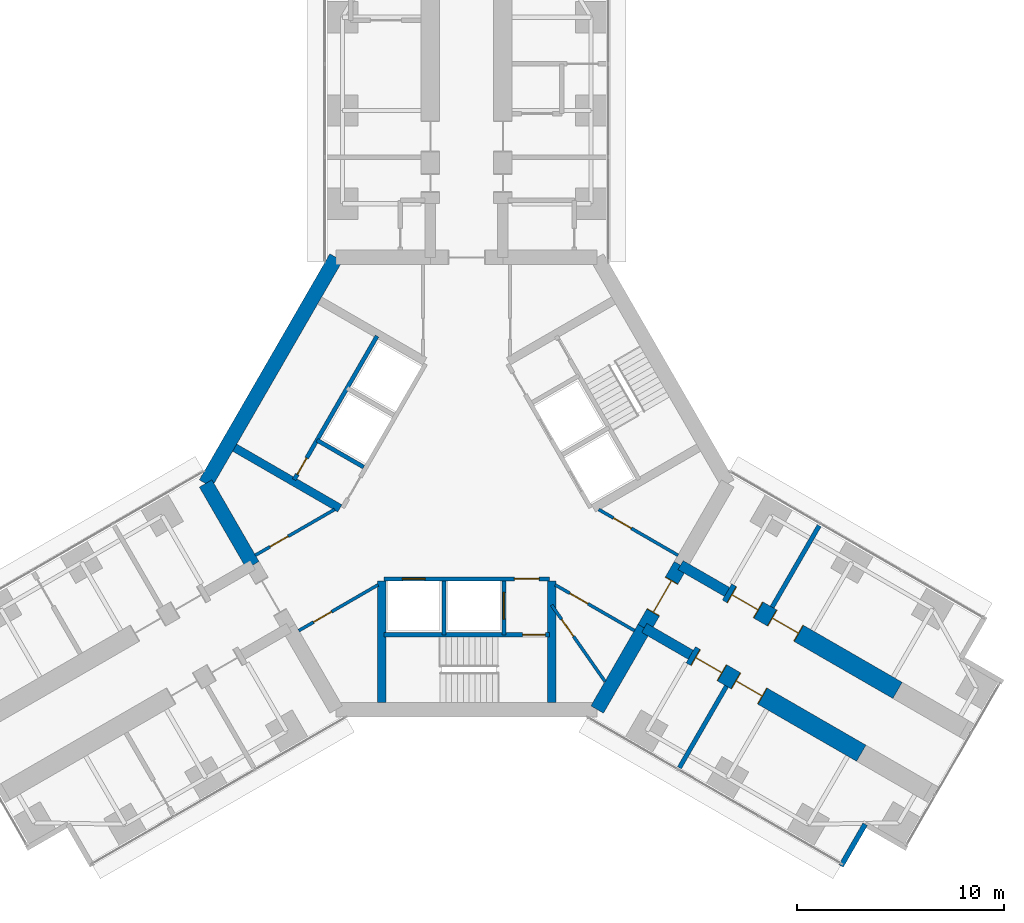
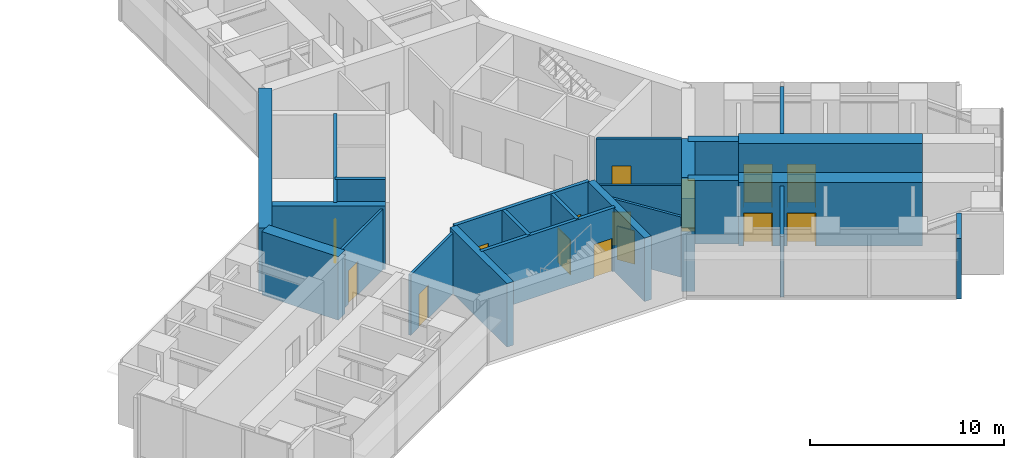
# One storey, part 19 of 22: 25 walls, 15 doors, 15 openings.
"""IFC4 building model written with IfcOpenShell, lengths in metres."""

from ifc_helpers import new_model, si_unit, direction, frame, frame_2d, origin, place, context, subcontext, project, spatial, rectangle, extrude, material, layer, layer_set, type_object, element, fill, save


model = new_model("IFC4")

# Units and contexts
model_context = context("Model", 3, precision=1e-05, world=origin(), true_north=direction((0.0, 1.0)))
body_context = subcontext(model_context, "Body", "Model", "MODEL_VIEW")
ifc_project = project(units=[si_unit("LENGTHUNIT", "METRE"), si_unit("AREAUNIT", "SQUARE_METRE"), si_unit("VOLUMEUNIT", "CUBIC_METRE"), si_unit("PLANEANGLEUNIT", "RADIAN"), si_unit("MASSUNIT", "GRAM", prefix="KILO")], contexts=[model_context])

# Site, building, storey
site_placement = place(None, origin())
site = spatial("IfcSite", under=ifc_project, at=site_placement, CompositionType="ELEMENT")
building_placement = place(site_placement, origin())
building = spatial("IfcBuilding", under=site, at=building_placement, Name="Upepo Twin Towers", CompositionType="ELEMENT")
storey_placement = place(building_placement, frame((0.0, 0.0, 44.5)))
storey = spatial("IfcBuildingStorey", under=building, at=storey_placement, Name="L10", CompositionType="ELEMENT", Elevation=44.5)

# Walls
ifc_material_1 = material(Name="Concrete blockwork, plastered both faces", Category="masonry")
ifc_layer_1 = layer(ifc_material_1, 0.215087890625)
ifc_layer_set_1 = layer_set([ifc_layer_1], Name="Blockwork partition 215")
wall_type_1 = type_object("IfcWallType", Name="Blockwork partition 215", PredefinedType="PARTITIONING", material=ifc_layer_set_1)
for number, where, z_axis, x_axis, name in (
    (1, (73.239990234375, -23.9697265625, 0.0), (0.0, 0.0, 1.0), (0.499982560684, 0.866035472144, 0.0), "T2 partition CL at 15.75"),
    (2, (71.039794921875, -27.7802734375, 0.0), (0.0, 0.0, 1.0), (-0.499982560684, -0.866035472144, 0.0), "T2 partition CR at 15.75"),
):
    element("IfcWall", number, at=place(storey_placement, frame(where, z_axis=z_axis, x_axis=x_axis)), inside=storey, type_object=wall_type_1, Name=name, PredefinedType="PARTITIONING", context=body_context, shape_type="SweptSolid", body=[
        extrude(rectangle(XDim=4.550048828125, YDim=0.215087890625, at=frame_2d((2.27490234375, 0.0))), origin(), (0.0, 0.0, 1.0), 3.800048828125),
    ])
ifc_material_2 = material(Name="Concrete C60/75", Category="concrete")
ifc_layer_2 = layer(ifc_material_2, 0.5)
ifc_layer_set_2 = layer_set([ifc_layer_2], Name="Concrete C60/75")
wall_type_2 = type_object("IfcWallType", Name="Buttress wall 500 RC", PredefinedType="SHEAR", material=ifc_layer_set_2)
for number, where, z_axis, x_axis, name in (
    (3, (68.82177734375, -21.938720703125, 0.0), (0.0, 0.0, 1.0), (0.866072649678, -0.499918158782, 0.0), "T2 wing C buttress wall L"),
    (4, (67.07177734375, -24.9697265625, 0.0), (0.0, 0.0, 1.0), (0.866031863473, -0.499988811324, 0.0), "T2 wing C buttress wall R"),
):
    element("IfcWall", number, at=place(storey_placement, frame(where, z_axis=z_axis, x_axis=x_axis)), inside=storey, type_object=wall_type_2, Name=name, PredefinedType="SHEAR", context=body_context, shape_type="SweptSolid", body=[
        extrude(rectangle(XDim=2.591796875, YDim=0.5, at=frame_2d((1.2958984375, 0.0))), origin(), (0.0, 0.0, 1.0), 4.0),
    ])

# Wall, openings, doors
ifc_material_3 = material(Name="Concrete C60/75", Category="concrete")
ifc_layer_3 = layer(ifc_material_3, 0.89990234375)
ifc_layer_set_3 = layer_set([ifc_layer_3], Name="Concrete C60/75")
wall_type_3 = type_object("IfcWallType", Name="Buttress wall 900 RC", PredefinedType="SHEAR", material=ifc_layer_set_3)
wall_1_placement = place(storey_placement, frame((71.06640625, -23.234375, 0.0), z_axis=(0.0, 0.0, 1.0), x_axis=(0.86602681393, -0.499997557548, 0.0)))
wall_1 = element("IfcWall", 5, at=wall_1_placement, inside=storey, type_object=wall_type_3, Name="T2 wing C buttress wall L part 2", PredefinedType="SHEAR", context=body_context, shape_type="SweptSolid", body=[
    extrude(rectangle(XDim=9.5, YDim=0.89990234375, at=frame_2d((4.75, 0.0))), origin(), (0.0, 0.0, 1.0), 4.0),
])
opening_1_placement = place(wall_1_placement, frame((0.25, 0.0, 0.0)))
opening_1 = element("IfcOpeningElement", 6, at=opening_1_placement, cuts=wall_1, Name="Opening D13", PredefinedType="OPENING", context=body_context, shape_type="SweptSolid", body=[
    extrude(rectangle(XDim=1.5, YDim=2.10009765625, at=frame_2d((0.75, 1.050048828125))), frame((0.0, 0.4599609375, 0.0), z_axis=(0.0, -1.0, 0.0), x_axis=(1.0, 0.0, 0.0)), (0.0, 0.0, 1.0), 0.919921875),
])
opening_2_placement = place(wall_1_placement, frame((2.5, 0.0, 0.0)))
opening_2 = element("IfcOpeningElement", 7, at=opening_2_placement, cuts=wall_1, Name="Opening D13", PredefinedType="OPENING", context=body_context, shape_type="SweptSolid", body=[
    extrude(rectangle(XDim=1.5, YDim=2.10009765625, at=frame_2d((0.75, 1.050048828125))), frame((0.0, 0.4599609375, 0.0), z_axis=(0.0, -1.0, 0.0), x_axis=(1.0, 0.0, 0.0)), (0.0, 0.0, 1.0), 0.919921875),
])
ifc_material_4 = material(Name="Timber doorset", Category="wood")
door_type_1 = type_object("IfcDoorType", Name="Double door 1500 FD30", OperationType="DOUBLE_DOOR_SINGLE_SWING", PredefinedType="DOOR", material=ifc_material_4)
door_1_placement = place(opening_1_placement, origin())
door_1 = element("IfcDoor", 8, at=door_1_placement, inside=storey, type_object=door_type_1, Name="T2 L10 tutorial room door", OperationType="DOUBLE_DOOR_SINGLE_SWING", OverallHeight=2.10009765625, OverallWidth=1.5, PredefinedType="DOOR", context=body_context, shape_type="SweptSolid", body=[
    extrude(rectangle(XDim=1.42, YDim=2.06009765625, at=frame_2d((0.75, 1.030029296875))), frame((0.0, 0.02490234375, 0.0), z_axis=(0.0, -1.0, 0.0), x_axis=(1.0, 0.0, 0.0)), (0.0, 0.0, 1.0), 0.050048828125),
    extrude(rectangle(XDim=0.04, YDim=2.10009765625, at=frame_2d((0.02001953125, 1.050048828125))), frame((0.0, 0.44970703125, 0.0), z_axis=(0.0, -1.0, 0.0), x_axis=(1.0, 0.0, 0.0)), (0.0, 0.0, 1.0), 0.8994140625),
    extrude(rectangle(XDim=0.04, YDim=2.10009765625, at=frame_2d((1.47998046875, 1.050048828125))), frame((0.0, 0.44970703125, 0.0), z_axis=(0.0, -1.0, 0.0), x_axis=(1.0, 0.0, 0.0)), (0.0, 0.0, 1.0), 0.8994140625),
    extrude(rectangle(XDim=1.42, YDim=0.04, at=frame_2d((0.75, 2.080078125))), frame((0.0, 0.44970703125, 0.0), z_axis=(0.0, -1.0, 0.0), x_axis=(1.0, 0.0, 0.0)), (0.0, 0.0, 1.0), 0.8994140625),
])
fill(opening_1, door_1)
door_2_placement = place(opening_2_placement, origin())
door_2 = element("IfcDoor", 9, at=door_2_placement, inside=storey, type_object=door_type_1, Name="T2 L10 lecture room door", OperationType="DOUBLE_DOOR_SINGLE_SWING", OverallHeight=2.10009765625, OverallWidth=1.5, PredefinedType="DOOR", context=body_context, shape_type="SweptSolid", body=[
    extrude(rectangle(XDim=1.42, YDim=2.06009765625, at=frame_2d((0.75, 1.030029296875))), frame((0.0, 0.02490234375, 0.0), z_axis=(0.0, -1.0, 0.0), x_axis=(1.0, 0.0, 0.0)), (0.0, 0.0, 1.0), 0.050048828125),
    extrude(rectangle(XDim=0.04, YDim=2.10009765625, at=frame_2d((0.02001953125, 1.050048828125))), frame((0.0, 0.44970703125, 0.0), z_axis=(0.0, -1.0, 0.0), x_axis=(1.0, 0.0, 0.0)), (0.0, 0.0, 1.0), 0.8994140625),
    extrude(rectangle(XDim=0.04, YDim=2.10009765625, at=frame_2d((1.47998046875, 1.050048828125))), frame((0.0, 0.44970703125, 0.0), z_axis=(0.0, -1.0, 0.0), x_axis=(1.0, 0.0, 0.0)), (0.0, 0.0, 1.0), 0.8994140625),
    extrude(rectangle(XDim=1.42, YDim=0.04, at=frame_2d((0.75, 2.080078125))), frame((0.0, 0.44970703125, 0.0), z_axis=(0.0, -1.0, 0.0), x_axis=(1.0, 0.0, 0.0)), (0.0, 0.0, 1.0), 0.8994140625),
])
fill(opening_2, door_2)

wall_2_placement = place(storey_placement, frame((69.31640625, -26.265625, 0.0), z_axis=(0.0, 0.0, 1.0), x_axis=(0.86602681393, -0.499997557548, 0.0)))
wall_2 = element("IfcWall", 10, at=wall_2_placement, inside=storey, type_object=wall_type_3, Name="T2 wing C buttress wall R part 2", PredefinedType="SHEAR", context=body_context, shape_type="SweptSolid", body=[
    extrude(rectangle(XDim=9.5, YDim=0.89990234375, at=frame_2d((4.75, 0.0))), origin(), (0.0, 0.0, 1.0), 4.0),
])
opening_3_placement = place(wall_2_placement, frame((0.25, 0.0, 0.0)))
opening_3 = element("IfcOpeningElement", 11, at=opening_3_placement, cuts=wall_2, Name="Opening D13", PredefinedType="OPENING", context=body_context, shape_type="SweptSolid", body=[
    extrude(rectangle(XDim=1.5, YDim=2.10009765625, at=frame_2d((0.75, 1.050048828125))), frame((0.0, 0.4599609375, 0.0), z_axis=(0.0, -1.0, 0.0), x_axis=(1.0, 0.0, 0.0)), (0.0, 0.0, 1.0), 0.919921875),
])
opening_4_placement = place(wall_2_placement, frame((2.5, 0.0, 0.0)))
opening_4 = element("IfcOpeningElement", 12, at=opening_4_placement, cuts=wall_2, Name="Opening D13", PredefinedType="OPENING", context=body_context, shape_type="SweptSolid", body=[
    extrude(rectangle(XDim=1.5, YDim=2.10009765625, at=frame_2d((0.75, 1.050048828125))), frame((0.0, 0.4599609375, 0.0), z_axis=(0.0, -1.0, 0.0), x_axis=(1.0, 0.0, 0.0)), (0.0, 0.0, 1.0), 0.919921875),
])
door_3_placement = place(opening_3_placement, origin())
door_3 = element("IfcDoor", 13, at=door_3_placement, inside=storey, type_object=door_type_1, Name="T2 L10 seminar room door", OperationType="DOUBLE_DOOR_SINGLE_SWING", OverallHeight=2.10009765625, OverallWidth=1.5, PredefinedType="DOOR", context=body_context, shape_type="SweptSolid", body=[
    extrude(rectangle(XDim=1.42, YDim=2.06009765625, at=frame_2d((0.75, 1.030029296875))), frame((0.0, 0.02490234375, 0.0), z_axis=(0.0, -1.0, 0.0), x_axis=(1.0, 0.0, 0.0)), (0.0, 0.0, 1.0), 0.050048828125),
    extrude(rectangle(XDim=0.04, YDim=2.10009765625, at=frame_2d((0.02001953125, 1.050048828125))), frame((0.0, 0.44970703125, 0.0), z_axis=(0.0, -1.0, 0.0), x_axis=(1.0, 0.0, 0.0)), (0.0, 0.0, 1.0), 0.8994140625),
    extrude(rectangle(XDim=0.04, YDim=2.10009765625, at=frame_2d((1.47998046875, 1.050048828125))), frame((0.0, 0.44970703125, 0.0), z_axis=(0.0, -1.0, 0.0), x_axis=(1.0, 0.0, 0.0)), (0.0, 0.0, 1.0), 0.8994140625),
    extrude(rectangle(XDim=1.42, YDim=0.04, at=frame_2d((0.75, 2.080078125))), frame((0.0, 0.44970703125, 0.0), z_axis=(0.0, -1.0, 0.0), x_axis=(1.0, 0.0, 0.0)), (0.0, 0.0, 1.0), 0.8994140625),
])
fill(opening_3, door_3)
door_4_placement = place(opening_4_placement, origin())
door_4 = element("IfcDoor", 14, at=door_4_placement, inside=storey, type_object=door_type_1, Name="T2 L10 lecture room door", OperationType="DOUBLE_DOOR_SINGLE_SWING", OverallHeight=2.10009765625, OverallWidth=1.5, PredefinedType="DOOR", context=body_context, shape_type="SweptSolid", body=[
    extrude(rectangle(XDim=1.42, YDim=2.06009765625, at=frame_2d((0.75, 1.030029296875))), frame((0.0, 0.02490234375, 0.0), z_axis=(0.0, -1.0, 0.0), x_axis=(1.0, 0.0, 0.0)), (0.0, 0.0, 1.0), 0.050048828125),
    extrude(rectangle(XDim=0.04, YDim=2.10009765625, at=frame_2d((0.02001953125, 1.050048828125))), frame((0.0, 0.44970703125, 0.0), z_axis=(0.0, -1.0, 0.0), x_axis=(1.0, 0.0, 0.0)), (0.0, 0.0, 1.0), 0.8994140625),
    extrude(rectangle(XDim=0.04, YDim=2.10009765625, at=frame_2d((1.47998046875, 1.050048828125))), frame((0.0, 0.44970703125, 0.0), z_axis=(0.0, -1.0, 0.0), x_axis=(1.0, 0.0, 0.0)), (0.0, 0.0, 1.0), 0.8994140625),
    extrude(rectangle(XDim=1.42, YDim=0.04, at=frame_2d((0.75, 2.080078125))), frame((0.0, 0.44970703125, 0.0), z_axis=(0.0, -1.0, 0.0), x_axis=(1.0, 0.0, 0.0)), (0.0, 0.0, 1.0), 0.8994140625),
])
fill(opening_4, door_4)

# Walls
ifc_material_5 = material(Name="Concrete C60/75", Category="concrete")
ifc_layer_4 = layer(ifc_material_5, 0.699951171875)
ifc_layer_set_4 = layer_set([ifc_layer_4], Name="Concrete C60/75")
wall_type_4 = type_object("IfcWallType", Name="Core wall 700 RC", PredefinedType="SHEAR", material=ifc_layer_set_4)
wall_3_placement = place(storey_placement, frame((52.2021484375, -7.091552734375, 0.0), z_axis=(0.0, 0.0, 1.0), x_axis=(-0.500005998175, -0.866021940709, 0.0)))
element("IfcWall", 15, at=wall_3_placement, inside=storey, type_object=wall_type_4, Name="T2 core wall 060", PredefinedType="SHEAR", context=body_context, shape_type="SweptSolid", body=[
    extrude(rectangle(XDim=12.595947265625, YDim=0.699951171875, at=frame_2d((6.2978515625, 0.0))), origin(), (0.0, 0.0, 1.0), 4.0),
])
for number, where, z_axis, x_axis, name in (
    (16, (45.904052734375, -18.0, 0.0), (0.0, 0.0, 1.0), (0.500024481964, -0.866011268655, 0.0), "T2 core wall 120 R"),
    (17, (64.7978515625, -28.908447265625, 0.0), (0.0, 0.0, 1.0), (0.499984222037, 0.866034513004, 0.0), "T2 core wall 240 R"),
):
    element("IfcWall", number, at=place(storey_placement, frame(where, z_axis=z_axis, x_axis=x_axis)), inside=storey, type_object=wall_type_4, Name=name, PredefinedType="SHEAR", context=body_context, shape_type="SweptSolid", body=[
        extrude(rectangle(XDim=4.548095703125, YDim=0.699951171875, at=frame_2d((2.27392578125, 0.0))), origin(), (0.0, 0.0, 1.0), 4.0),
    ])

# Wall, opening, door
wall_4_placement = place(storey_placement, frame((67.07177734375, -24.9697265625, 0.0), z_axis=(0.0, 0.0, 1.0), x_axis=(0.500010275428, 0.866019471182, 0.0)))
wall_4 = element("IfcWall", 18, at=wall_4_placement, inside=storey, type_object=wall_type_4, Name="T2 core wall 240", PredefinedType="SHEAR", context=body_context, shape_type="SweptSolid", body=[
    extrude(rectangle(XDim=3.5, YDim=0.699951171875, at=frame_2d((1.75, 0.0))), origin(), (0.0, 0.0, 1.0), 4.0),
])
opening_5_placement = place(wall_4_placement, frame((0.85009765625, 0.0, 0.0)))
opening_5 = element("IfcOpeningElement", 19, at=opening_5_placement, cuts=wall_4, Name="Opening D2", PredefinedType="OPENING", context=body_context, shape_type="SweptSolid", body=[
    extrude(rectangle(XDim=1.800048828125, YDim=2.10009765625, at=frame_2d((0.89990234375, 1.050048828125))), frame((0.0, 0.35986328125, 0.0), z_axis=(0.0, -1.0, 0.0), x_axis=(1.0, 0.0, 0.0)), (0.0, 0.0, 1.0), 0.719970703125),
])
ifc_material_6 = material(Name="Timber doorset", Category="wood")
door_type_2 = type_object("IfcDoorType", Name="Corridor double door 1800 FD60", OperationType="DOUBLE_DOOR_DOUBLE_SWING", PredefinedType="DOOR", material=ifc_material_6)
door_5_placement = place(opening_5_placement, origin())
door_5 = element("IfcDoor", 20, at=door_5_placement, inside=storey, type_object=door_type_2, Name="T2 L10 wing C corridor door", OperationType="DOUBLE_DOOR_DOUBLE_SWING", OverallHeight=2.10009765625, OverallWidth=1.800048828125, PredefinedType="DOOR", context=body_context, shape_type="SweptSolid", body=[
    extrude(rectangle(XDim=1.720048828125, YDim=2.06009765625, at=frame_2d((0.89990234375, 1.030029296875))), frame((0.0, 0.02490234375, 0.0), z_axis=(0.0, -1.0, 0.0), x_axis=(1.0, 0.0, 0.0)), (0.0, 0.0, 1.0), 0.050048828125),
    extrude(rectangle(XDim=0.04, YDim=2.10009765625, at=frame_2d((0.02001953125, 1.050048828125))), frame((0.0, 0.349609375, 0.0), z_axis=(0.0, -1.0, 0.0), x_axis=(1.0, 0.0, 0.0)), (0.0, 0.0, 1.0), 0.699462890625),
    extrude(rectangle(XDim=0.04, YDim=2.10009765625, at=frame_2d((1.780029296875, 1.050048828125))), frame((0.0, 0.349609375, 0.0), z_axis=(0.0, -1.0, 0.0), x_axis=(1.0, 0.0, 0.0)), (0.0, 0.0, 1.0), 0.699462890625),
    extrude(rectangle(XDim=1.720048828125, YDim=0.04, at=frame_2d((0.89990234375, 2.080078125))), frame((0.0, 0.349609375, 0.0), z_axis=(0.0, -1.0, 0.0), x_axis=(1.0, 0.0, 0.0)), (0.0, 0.0, 1.0), 0.699462890625),
])
fill(opening_5, door_5)

# Walls
ifc_material_7 = material(Name="Blockwork with anodised aluminium cladding", Category="masonry")
ifc_layer_5 = layer(ifc_material_7, 0.25)
ifc_layer_set_5 = layer_set([ifc_layer_5], Name="Notch cladding wall 250, pale metal")
wall_type_5 = type_object("IfcWallType", Name="Notch cladding wall 250, pale metal", PredefinedType="STANDARD", material=ifc_layer_set_5)
wall_5_placement = place(storey_placement, frame((76.5673828125, -36.456298828125, 0.0), z_axis=(0.0, 0.0, 1.0), x_axis=(0.500046648681, 0.865998469481, 0.0)))
element("IfcWall", 21, at=wall_5_placement, inside=storey, type_object=wall_type_5, Name="T2 L10 wing C notch wall R1", PredefinedType="STANDARD", context=body_context, shape_type="SweptSolid", body=[
    extrude(rectangle(XDim=2.324951171875, YDim=0.25, at=frame_2d((1.16259765625, 0.0))), origin(), (0.0, 0.0, 1.0), 3.800048828125),
])
ifc_material_8 = material(Name="Concrete C40/50", Category="concrete")
ifc_layer_6 = layer(ifc_material_8, 0.199951171875)
ifc_layer_set_6 = layer_set([ifc_layer_6], Name="Concrete C40/50")
wall_type_6 = type_object("IfcWallType", Name="Shaft wall 200 RC", PredefinedType="SHEAR", material=ifc_layer_set_6)
wall_6_placement = place(storey_placement, frame((53.52978515625, -17.208740234375, 0.0), z_axis=(0.0, 0.0, 1.0), x_axis=(-0.866062058628, 0.499936506574, 0.0)))
element("IfcWall", 22, at=wall_6_placement, inside=storey, type_object=wall_type_6, Name="T2 core W60 lobby wall", PredefinedType="SHEAR", context=body_context, shape_type="SweptSolid", body=[
    extrude(rectangle(XDim=2.599853515625, YDim=0.199951171875, at=frame_2d((1.2998046875, 0.0))), origin(), (0.0, 0.0, 1.0), 4.0),
])

# Wall, opening, door
wall_7_placement = place(storey_placement, frame((54.177978515625, -10.885986328125, 0.0), z_axis=(0.0, 0.0, 1.0), x_axis=(-0.49999894854, -0.866026010844, 0.0)))
wall_7 = element("IfcWall", 23, at=wall_7_placement, inside=storey, type_object=wall_type_6, Name="T2 core W60 stair wall", PredefinedType="SHEAR", context=body_context, shape_type="SweptSolid", body=[
    extrude(rectangle(XDim=8.0, YDim=0.199951171875, at=frame_2d((4.0, 0.0))), origin(), (0.0, 0.0, 1.0), 4.0),
])
opening_6_placement = place(wall_7_placement, frame((6.800048828125, 0.0, 0.0)))
opening_6 = element("IfcOpeningElement", 24, at=opening_6_placement, cuts=wall_7, Name="Opening D9", PredefinedType="OPENING", context=body_context, shape_type="SweptSolid", body=[
    extrude(rectangle(XDim=0.89990234375, YDim=2.10009765625, at=frame_2d((0.449951171875, 1.050048828125))), frame((0.0, 0.10986328125, 0.0), z_axis=(0.0, -1.0, 0.0), x_axis=(1.0, 0.0, 0.0)), (0.0, 0.0, 1.0), 0.219970703125),
])
ifc_material_9 = material(Name="Timber doorset", Category="wood")
door_type_3 = type_object("IfcDoorType", Name="Riser door 900 FD60", OperationType="SINGLE_SWING_LEFT", PredefinedType="DOOR", material=ifc_material_9)
door_6_placement = place(opening_6_placement, origin())
door_6 = element("IfcDoor", 25, at=door_6_placement, inside=storey, type_object=door_type_3, Name="T2 L10 riser door", OperationType="SINGLE_SWING_RIGHT", OverallHeight=2.10009765625, OverallWidth=0.89990234375, PredefinedType="DOOR", context=body_context, shape_type="SweptSolid", body=[
    extrude(rectangle(XDim=0.89990234375, YDim=2.10009765625, at=frame_2d((0.449951171875, 1.050048828125))), frame((0.0, 0.02490234375, 0.0), z_axis=(0.0, -1.0, 0.0), x_axis=(1.0, 0.0, 0.0)), (0.0, 0.0, 1.0), 0.050048828125),
])
fill(opening_6, door_6)

# Wall, openings, doors
wall_8_placement = place(storey_placement, frame((54.5, -22.60009765625, 0.0), z_axis=(0.0, 0.0, 1.0), x_axis=(1.0, 0.0, 0.0)))
wall_8 = element("IfcWall", 26, at=wall_8_placement, inside=storey, type_object=wall_type_6, Name="T2 core W180 front wall", PredefinedType="SHEAR", context=body_context, shape_type="SweptSolid", body=[
    extrude(rectangle(XDim=8.0, YDim=0.199951171875, at=frame_2d((4.0, 0.0))), origin(), (0.0, 0.0, 1.0), 4.0),
])
opening_7_placement = place(wall_8_placement, frame((6.300048828125, 0.0, 0.0)))
opening_7 = element("IfcOpeningElement", 27, at=opening_7_placement, cuts=wall_8, Name="Opening D4", PredefinedType="OPENING", context=body_context, shape_type="SweptSolid", body=[
    extrude(rectangle(XDim=1.199951171875, YDim=2.10009765625, at=frame_2d((0.60009765625, 1.050048828125))), frame((0.0, 0.10986328125, 0.0), z_axis=(0.0, -1.0, 0.0), x_axis=(1.0, 0.0, 0.0)), (0.0, 0.0, 1.0), 0.219970703125),
])
opening_8_placement = place(wall_8_placement, frame((0.89990234375, 0.0, 0.0)))
opening_8 = element("IfcOpeningElement", 28, at=opening_8_placement, cuts=wall_8, Name="Opening LD1", PredefinedType="OPENING", context=body_context, shape_type="SweptSolid", body=[
    extrude(rectangle(XDim=1.10009765625, YDim=2.199951171875, at=frame_2d((0.550048828125, 1.10009765625))), frame((0.0, 0.10986328125, 0.0), z_axis=(0.0, -1.0, 0.0), x_axis=(1.0, 0.0, 0.0)), (0.0, 0.0, 1.0), 0.219970703125),
])
ifc_material_10 = material(Name="Steel doorset", Category="steel")
door_type_4 = type_object("IfcDoorType", Name="Lift landing door 1100", OperationType="DOUBLE_DOOR_SLIDING", PredefinedType="DOOR", material=ifc_material_10)
door_7_placement = place(opening_8_placement, origin())
door_7 = element("IfcDoor", 29, at=door_7_placement, inside=storey, type_object=door_type_4, Name="T2 L10 lift SV1 landing door", OperationType="DOUBLE_DOOR_SLIDING", OverallHeight=2.199951171875, OverallWidth=1.10009765625, PredefinedType="DOOR", context=body_context, shape_type="SweptSolid", body=[
    extrude(rectangle(XDim=1.10009765625, YDim=2.199951171875, at=frame_2d((0.550048828125, 1.10009765625))), frame((0.0, 0.02490234375, 0.0), z_axis=(0.0, -1.0, 0.0), x_axis=(1.0, 0.0, 0.0)), (0.0, 0.0, 1.0), 0.050048828125),
])
fill(opening_8, door_7)
ifc_material_11 = material(Name="Timber doorset", Category="wood")
door_type_5 = type_object("IfcDoorType", Name="Lobby door 1200 FD60", OperationType="SINGLE_SWING_LEFT", PredefinedType="DOOR", material=ifc_material_11)
door_8_placement = place(opening_7_placement, origin())
door_8 = element("IfcDoor", 30, at=door_8_placement, inside=storey, type_object=door_type_5, Name="T2 L10 W180 lobby door", OperationType="SINGLE_SWING_RIGHT", OverallHeight=2.10009765625, OverallWidth=1.199951171875, PredefinedType="DOOR", context=body_context, shape_type="SweptSolid", body=[
    extrude(rectangle(XDim=1.199951171875, YDim=2.10009765625, at=frame_2d((0.60009765625, 1.050048828125))), frame((0.0, 0.02490234375, 0.0), z_axis=(0.0, -1.0, 0.0), x_axis=(1.0, 0.0, 0.0)), (0.0, 0.0, 1.0), 0.050048828125),
])
fill(opening_7, door_8)

# Wall
wall_9_placement = place(storey_placement, frame((57.39990234375, -22.699951171875, 0.0), z_axis=(0.0, 0.0, 1.0), x_axis=(0.0, -1.0, 0.0)))
element("IfcWall", 31, at=wall_9_placement, inside=storey, type_object=wall_type_6, Name="T2 core W180 shaft divider", PredefinedType="SHEAR", context=body_context, shape_type="SweptSolid", body=[
    extrude(rectangle(XDim=2.60009765625, YDim=0.199951171875, at=frame_2d((1.300048828125, 0.0))), origin(), (0.0, 0.0, 1.0), 4.0),
])

# Wall, opening, door
wall_10_placement = place(storey_placement, frame((60.300048828125, -22.699951171875, 0.0), z_axis=(0.0, 0.0, 1.0), x_axis=(0.0, -1.0, 0.0)))
wall_10 = element("IfcWall", 32, at=wall_10_placement, inside=storey, type_object=wall_type_6, Name="T2 core W180 lobby wall", PredefinedType="SHEAR", context=body_context, shape_type="SweptSolid", body=[
    extrude(rectangle(XDim=2.60009765625, YDim=0.199951171875, at=frame_2d((1.300048828125, 0.0))), origin(), (0.0, 0.0, 1.0), 4.0),
])
opening_9_placement = place(wall_10_placement, frame((0.550048828125, 0.0, 0.0)))
opening_9 = element("IfcOpeningElement", 33, at=opening_9_placement, cuts=wall_10, Name="Opening LD2", PredefinedType="OPENING", context=body_context, shape_type="SweptSolid", body=[
    extrude(rectangle(XDim=1.300048828125, YDim=2.199951171875, at=frame_2d((0.64990234375, 1.10009765625))), frame((0.0, 0.10986328125, 0.0), z_axis=(0.0, -1.0, 0.0), x_axis=(1.0, 0.0, 0.0)), (0.0, 0.0, 1.0), 0.219970703125),
])
ifc_material_12 = material(Name="Steel doorset", Category="steel")
door_type_6 = type_object("IfcDoorType", Name="Firefighting lift landing door 1300", OperationType="DOUBLE_DOOR_SLIDING", PredefinedType="DOOR", material=ifc_material_12)
door_9_placement = place(opening_9_placement, origin())
door_9 = element("IfcDoor", 34, at=door_9_placement, inside=storey, type_object=door_type_6, Name="T2 L10 firefighting lift landing door", OperationType="DOUBLE_DOOR_SLIDING", OverallHeight=2.199951171875, OverallWidth=1.300048828125, PredefinedType="DOOR", context=body_context, shape_type="SweptSolid", body=[
    extrude(rectangle(XDim=1.300048828125, YDim=2.199951171875, at=frame_2d((0.64990234375, 1.10009765625))), frame((0.0, 0.02490234375, 0.0), z_axis=(0.0, -1.0, 0.0), x_axis=(1.0, 0.0, 0.0)), (0.0, 0.0, 1.0), 0.050048828125),
])
fill(opening_9, door_9)

wall_11_placement = place(storey_placement, frame((54.5, -25.300048828125, 0.0), z_axis=(0.0, 0.0, 1.0), x_axis=(1.0, 0.0, 0.0)))
wall_11 = element("IfcWall", 35, at=wall_11_placement, inside=storey, type_object=wall_type_6, Name="T2 core W180 stair wall", PredefinedType="SHEAR", context=body_context, shape_type="SweptSolid", body=[
    extrude(rectangle(XDim=8.0, YDim=0.199951171875, at=frame_2d((4.0, 0.0))), origin(), (0.0, 0.0, 1.0), 4.0),
])
opening_10_placement = place(wall_11_placement, frame((6.699951171875, 0.0, 0.0)))
opening_10 = element("IfcOpeningElement", 36, at=opening_10_placement, cuts=wall_11, Name="Opening D3", PredefinedType="OPENING", context=body_context, shape_type="SweptSolid", body=[
    extrude(rectangle(XDim=1.10009765625, YDim=2.10009765625, at=frame_2d((0.550048828125, 1.050048828125))), frame((0.0, 0.10986328125, 0.0), z_axis=(0.0, -1.0, 0.0), x_axis=(1.0, 0.0, 0.0)), (0.0, 0.0, 1.0), 0.219970703125),
])
ifc_material_13 = material(Name="Timber doorset", Category="wood")
door_type_7 = type_object("IfcDoorType", Name="Stair door 1100 FD60", OperationType="SINGLE_SWING_LEFT", PredefinedType="DOOR", material=ifc_material_13)
door_10_placement = place(opening_10_placement, origin())
door_10 = element("IfcDoor", 37, at=door_10_placement, inside=storey, type_object=door_type_7, Name="T2 L10 stair door", OperationType="SINGLE_SWING_RIGHT", OverallHeight=2.10009765625, OverallWidth=1.10009765625, PredefinedType="DOOR", context=body_context, shape_type="SweptSolid", body=[
    extrude(rectangle(XDim=1.10009765625, YDim=2.10009765625, at=frame_2d((0.550048828125, 1.050048828125))), frame((0.0, 0.02490234375, 0.0), z_axis=(0.0, -1.0, 0.0), x_axis=(1.0, 0.0, 0.0)), (0.0, 0.0, 1.0), 0.050048828125),
])
fill(opening_10, door_10)

# Walls
ifc_material_14 = material(Name="Concrete C40/50", Category="concrete")
ifc_layer_7 = layer(ifc_material_14, 0.39990234375)
ifc_layer_set_7 = layer_set([ifc_layer_7], Name="Concrete C40/50")
wall_type_7 = type_object("IfcWallType", Name="Shaft wall 400 RC", PredefinedType="SHEAR", material=ifc_layer_set_7)
for number, where, z_axis, x_axis, name in (
    (38, (52.379638671875, -19.20068359375, 0.0), (0.0, 0.0, 1.0), (-0.866023886965, 0.500002627198, 0.0), "T2 core W60 side wall N"),
    (39, (62.60009765625, -22.699951171875, 0.0), (0.0, 0.0, 1.0), (0.0, -1.0, 0.0), "T2 core W180 side wall N"),
    (40, (54.39990234375, -22.699951171875, 0.0), (0.0, 0.0, 1.0), (0.0, -1.0, 0.0), "T2 core W180 side wall S"),
):
    element("IfcWall", number, at=place(storey_placement, frame(where, z_axis=z_axis, x_axis=x_axis)), inside=storey, type_object=wall_type_7, Name=name, PredefinedType="SHEAR", context=body_context, shape_type="SweptSolid", body=[
        extrude(rectangle(XDim=5.8583984375, YDim=0.39990234375, at=frame_2d((2.92919921875, 0.0))), origin(), (0.0, 0.0, 1.0), 4.0),
    ])

# Wall, opening, door
ifc_material_15 = material(Name="Gypsum board on steel studs", Category="steel")
ifc_layer_8 = layer(ifc_material_15, 0.14990234375)
ifc_layer_set_8 = layer_set([ifc_layer_8], Name="Teaching partition 150 acoustic")
wall_type_8 = type_object("IfcWallType", Name="Teaching partition 150 acoustic", PredefinedType="PARTITIONING", material=ifc_layer_set_8)
wall_12_placement = place(storey_placement, frame((48.297607421875, -21.465576171875, 0.0), z_axis=(0.0, 0.0, 1.0), x_axis=(0.866021148949, 0.500007369519, 0.0)))
wall_12 = element("IfcWall", 41, at=wall_12_placement, inside=storey, type_object=wall_type_8, Name="T2 core room partition 1", PredefinedType="PARTITIONING", context=body_context, shape_type="SweptSolid", body=[
    extrude(rectangle(XDim=4.42578125, YDim=0.14990234375, at=frame_2d((2.212890625, 0.0))), origin(), (0.0, 0.0, 1.0), 3.800048828125),
])
opening_11_placement = place(wall_12_placement, frame((0.82763671875, 0.0, 0.0)))
opening_11 = element("IfcOpeningElement", 42, at=opening_11_placement, cuts=wall_12, Name="Opening D1", PredefinedType="OPENING", context=body_context, shape_type="SweptSolid", body=[
    extrude(rectangle(XDim=1.0, YDim=2.10009765625, at=frame_2d((0.5, 1.050048828125))), frame((0.0, 0.0849609375, 0.0), z_axis=(0.0, -1.0, 0.0), x_axis=(1.0, 0.0, 0.0)), (0.0, 0.0, 1.0), 0.169921875),
])
ifc_material_16 = material(Name="Timber doorset", Category="wood")
door_type_8 = type_object("IfcDoorType", Name="Room door 1000 FD30", OperationType="SINGLE_SWING_LEFT", PredefinedType="DOOR", material=ifc_material_16)
door_11_placement = place(opening_11_placement, origin())
door_11 = element("IfcDoor", 43, at=door_11_placement, inside=storey, type_object=door_type_8, Name="T2 L10 core room door K1", OperationType="SINGLE_SWING_LEFT", OverallHeight=2.10009765625, OverallWidth=1.0, PredefinedType="DOOR", context=body_context, shape_type="SweptSolid", body=[
    extrude(rectangle(XDim=1.0, YDim=2.10009765625, at=frame_2d((0.5, 1.050048828125))), frame((0.0, 0.02490234375, 0.0), z_axis=(0.0, -1.0, 0.0), x_axis=(1.0, 0.0, 0.0)), (0.0, 0.0, 1.0), 0.050048828125),
])
fill(opening_11, door_11)

wall_13_placement = place(storey_placement, frame((64.86962890625, -19.252685546875, 0.0), z_axis=(0.0, 0.0, 1.0), x_axis=(0.866021148949, -0.500007369519, 0.0)))
wall_13 = element("IfcWall", 44, at=wall_13_placement, inside=storey, type_object=wall_type_8, Name="T2 core room partition 4", PredefinedType="PARTITIONING", context=body_context, shape_type="SweptSolid", body=[
    extrude(rectangle(XDim=4.42578125, YDim=0.14990234375, at=frame_2d((2.212890625, 0.0))), origin(), (0.0, 0.0, 1.0), 3.800048828125),
])
opening_12_placement = place(wall_13_placement, frame((0.82763671875, 0.0, 0.0)))
opening_12 = element("IfcOpeningElement", 45, at=opening_12_placement, cuts=wall_13, Name="Opening D1", PredefinedType="OPENING", context=body_context, shape_type="SweptSolid", body=[
    extrude(rectangle(XDim=1.0, YDim=2.10009765625, at=frame_2d((0.5, 1.050048828125))), frame((0.0, 0.0849609375, 0.0), z_axis=(0.0, -1.0, 0.0), x_axis=(1.0, 0.0, 0.0)), (0.0, 0.0, 1.0), 0.169921875),
])
door_12_placement = place(opening_12_placement, origin())
door_12 = element("IfcDoor", 46, at=door_12_placement, inside=storey, type_object=door_type_8, Name="T2 L10 core room door K5", OperationType="SINGLE_SWING_LEFT", OverallHeight=2.10009765625, OverallWidth=1.0, PredefinedType="DOOR", context=body_context, shape_type="SweptSolid", body=[
    extrude(rectangle(XDim=1.0, YDim=2.10009765625, at=frame_2d((0.5, 1.050048828125))), frame((0.0, 0.02490234375, 0.0), z_axis=(0.0, -1.0, 0.0), x_axis=(1.0, 0.0, 0.0)), (0.0, 0.0, 1.0), 0.050048828125),
])
fill(opening_12, door_12)

wall_14_placement = place(storey_placement, frame((66.6025390625, -25.102783203125, 0.0), z_axis=(0.0, 0.0, 1.0), x_axis=(-0.866021148949, 0.500007369519, 0.0)))
wall_14 = element("IfcWall", 47, at=wall_14_placement, inside=storey, type_object=wall_type_8, Name="T2 core room partition 5", PredefinedType="PARTITIONING", context=body_context, shape_type="SweptSolid", body=[
    extrude(rectangle(XDim=4.42578125, YDim=0.14990234375, at=frame_2d((2.212890625, 0.0))), origin(), (0.0, 0.0, 1.0), 3.800048828125),
])
opening_13_placement = place(wall_14_placement, frame((2.597900390625, 0.0, 0.0)))
opening_13 = element("IfcOpeningElement", 48, at=opening_13_placement, cuts=wall_14, Name="Opening D1", PredefinedType="OPENING", context=body_context, shape_type="SweptSolid", body=[
    extrude(rectangle(XDim=1.0, YDim=2.10009765625, at=frame_2d((0.5, 1.050048828125))), frame((0.0, 0.0849609375, 0.0), z_axis=(0.0, -1.0, 0.0), x_axis=(1.0, 0.0, 0.0)), (0.0, 0.0, 1.0), 0.169921875),
])
door_13_placement = place(opening_13_placement, origin())
door_13 = element("IfcDoor", 49, at=door_13_placement, inside=storey, type_object=door_type_8, Name="T2 L10 core room door K4", OperationType="SINGLE_SWING_RIGHT", OverallHeight=2.10009765625, OverallWidth=1.0, PredefinedType="DOOR", context=body_context, shape_type="SweptSolid", body=[
    extrude(rectangle(XDim=1.0, YDim=2.10009765625, at=frame_2d((0.5, 1.050048828125))), frame((0.0, 0.02490234375, 0.0), z_axis=(0.0, -1.0, 0.0), x_axis=(1.0, 0.0, 0.0)), (0.0, 0.0, 1.0), 0.050048828125),
])
fill(opening_13, door_13)

wall_15_placement = place(storey_placement, frame((54.230224609375, -22.889892578125, 0.0), z_axis=(0.0, 0.0, 1.0), x_axis=(-0.866021148949, -0.500007369519, 0.0)))
wall_15 = element("IfcWall", 50, at=wall_15_placement, inside=storey, type_object=wall_type_8, Name="T2 core room partition 6", PredefinedType="PARTITIONING", context=body_context, shape_type="SweptSolid", body=[
    extrude(rectangle(XDim=4.42578125, YDim=0.14990234375, at=frame_2d((2.212890625, 0.0))), origin(), (0.0, 0.0, 1.0), 3.800048828125),
])
opening_14_placement = place(wall_15_placement, frame((2.597900390625, 0.0, 0.0)))
opening_14 = element("IfcOpeningElement", 51, at=opening_14_placement, cuts=wall_15, Name="Opening D1", PredefinedType="OPENING", context=body_context, shape_type="SweptSolid", body=[
    extrude(rectangle(XDim=1.0, YDim=2.10009765625, at=frame_2d((0.5, 1.050048828125))), frame((0.0, 0.0849609375, 0.0), z_axis=(0.0, -1.0, 0.0), x_axis=(1.0, 0.0, 0.0)), (0.0, 0.0, 1.0), 0.169921875),
])
door_14_placement = place(opening_14_placement, origin())
door_14 = element("IfcDoor", 52, at=door_14_placement, inside=storey, type_object=door_type_8, Name="T2 L10 core room door K2", OperationType="SINGLE_SWING_RIGHT", OverallHeight=2.10009765625, OverallWidth=1.0, PredefinedType="DOOR", context=body_context, shape_type="SweptSolid", body=[
    extrude(rectangle(XDim=1.0, YDim=2.10009765625, at=frame_2d((0.5, 1.050048828125))), frame((0.0, 0.02490234375, 0.0), z_axis=(0.0, -1.0, 0.0), x_axis=(1.0, 0.0, 0.0)), (0.0, 0.0, 1.0), 0.050048828125),
])
fill(opening_14, door_14)

wall_16_placement = place(storey_placement, frame((62.60009765625, -23.865478515625, 0.0), z_axis=(0.0, 0.0, 1.0), x_axis=(0.572915783016, -0.819614241928, 0.0)))
wall_16 = element("IfcWall", 53, at=wall_16_placement, inside=storey, type_object=wall_type_8, Name="T2 core room partition 7", PredefinedType="PARTITIONING", context=body_context, shape_type="SweptSolid", body=[
    extrude(rectangle(XDim=4.497802734375, YDim=0.14990234375, at=frame_2d((2.2490234375, 0.0))), origin(), (0.0, 0.0, 1.0), 3.800048828125),
])
opening_15_placement = place(wall_16_placement, frame((0.849365234375, 0.0, 0.0)))
opening_15 = element("IfcOpeningElement", 54, at=opening_15_placement, cuts=wall_16, Name="Opening D1", PredefinedType="OPENING", context=body_context, shape_type="SweptSolid", body=[
    extrude(rectangle(XDim=1.0, YDim=2.10009765625, at=frame_2d((0.5, 1.050048828125))), frame((0.0, 0.0849609375, 0.0), z_axis=(0.0, -1.0, 0.0), x_axis=(1.0, 0.0, 0.0)), (0.0, 0.0, 1.0), 0.169921875),
])
door_15_placement = place(opening_15_placement, origin())
door_15 = element("IfcDoor", 55, at=door_15_placement, inside=storey, type_object=door_type_8, Name="T2 L10 core room door K3", OperationType="SINGLE_SWING_LEFT", OverallHeight=2.10009765625, OverallWidth=1.0, PredefinedType="DOOR", context=body_context, shape_type="SweptSolid", body=[
    extrude(rectangle(XDim=1.0, YDim=2.10009765625, at=frame_2d((0.5, 1.050048828125))), frame((0.0, 0.02490234375, 0.0), z_axis=(0.0, -1.0, 0.0), x_axis=(1.0, 0.0, 0.0)), (0.0, 0.0, 1.0), 0.050048828125),
])
fill(opening_15, door_15)

save(model, "model.ifc")
